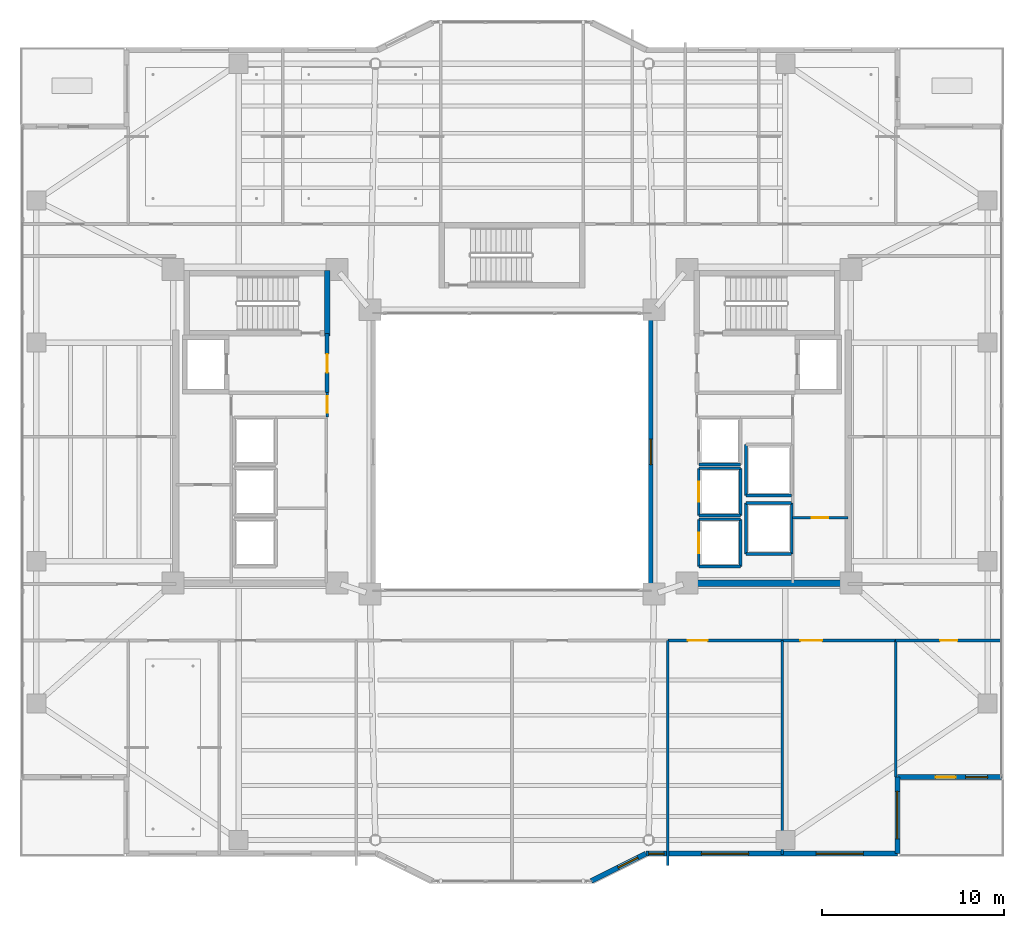
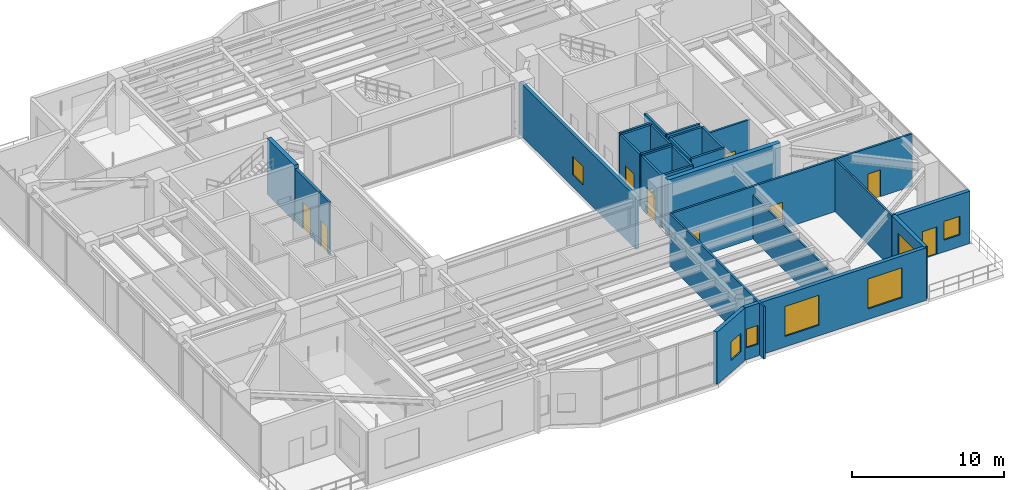
# One storey, part 28 of 38: 30 walls, 9 doors, 7 windows, 16 openings.
"""IFC4 building model written with IfcOpenShell, lengths in metres."""

import ifcopenshell
import ifcopenshell.guid

model = None  # the IFC model being written
_history = None  # IfcOwnerHistory: only IFC2X3 demands one
_inside = {}  # id of a spatial element -> (the spatial element, [elements in it])
_under = {}  # id of a project, library or spatial element -> (it, [spatial elements below it])
_declared = {}  # id of a project -> (the project, [libraries it declares])
_typed = {}  # id of a type object -> (the type object, [elements of that type])
_made_of = {}  # id of a material, layer set ... -> (it, [elements and type objects made of it])


def new_model(schema):
    """Start an empty IFC model of exactly this schema.

    Asked for "IFC4X3", IfcOpenShell would pick the latest addendum, in which some entities
    have other attributes; the version numbers below select the first issue.
    IFC2X3 requires an IfcOwnerHistory on every rooted entity: one is made here for all.
    """
    global model, _history
    if schema == "IFC4X3":
        model = ifcopenshell.file(schema_version=(4, 3, 0, 0))
    else:
        model = ifcopenshell.file(schema=schema)
    _inside.clear()
    _under.clear()
    _declared.clear()
    _typed.clear()
    _made_of.clear()
    _history = None
    if model.schema == "IFC2X3":
        org = make("IfcOrganization", Name="unknown")
        user = make(
            "IfcPersonAndOrganization",
            ThePerson=make("IfcPerson", FamilyName="unknown"),
            TheOrganization=org,
        )
        app = make(
            "IfcApplication",
            ApplicationDeveloper=org,
            Version="unknown",
            ApplicationFullName="unknown",
            ApplicationIdentifier="unknown",
        )
        _history = make(
            "IfcOwnerHistory",
            OwningUser=user,
            OwningApplication=app,
            ChangeAction="ADDED",
            CreationDate=0,
        )
    return model


def make(cls, **values):
    """One entity of the class cls with the attributes given. An attribute that is None is left unset."""
    return model.create_entity(
        cls, **{name: value for name, value in values.items() if value is not None}
    )


def rooted(cls, **values):
    """An entity with a GlobalId (a new one), such as an element, a storey or a relation."""
    return make(cls, GlobalId=ifcopenshell.guid.new(), OwnerHistory=_history, **values)


def si_unit(unit_type, name, prefix=None):
    """IfcSIUnit, for example si_unit("LENGTHUNIT", "METRE", prefix="MILLI")."""
    return make("IfcSIUnit", UnitType=unit_type, Prefix=prefix, Name=name)


def assignment(units):
    """IfcUnitAssignment: the units of a project."""
    return None if units is None else make("IfcUnitAssignment", Units=units)


def point(xyz):
    """IfcCartesianPoint."""
    return None if xyz is None else make("IfcCartesianPoint", Coordinates=xyz)


def direction(xyz):
    """IfcDirection."""
    return None if xyz is None else make("IfcDirection", DirectionRatios=xyz)


def frame(location, z_axis=None, x_axis=None):
    """IfcAxis2Placement3D, a coordinate frame: its origin and axes. An axis left out is left unset."""
    return make(
        "IfcAxis2Placement3D",
        Location=point(location),
        Axis=direction(z_axis),
        RefDirection=direction(x_axis),
    )


def frame_2d(location, x_axis=None):
    """IfcAxis2Placement2D, a coordinate frame in the plane: its origin and x axis."""
    return make(
        "IfcAxis2Placement2D", Location=point(location), RefDirection=direction(x_axis)
    )


def origin():
    """The frame at (0, 0, 0) with its axes left unset."""
    return frame((0.0, 0.0, 0.0))


def place(relative_to, where):
    """IfcLocalPlacement: puts the frame where relative to a parent placement (None: the world)."""
    return make(
        "IfcLocalPlacement", PlacementRelTo=relative_to, RelativePlacement=where
    )


def context(
    kind, dimensions, precision=None, world=None, true_north=None, identifier=None
):
    """IfcGeometricRepresentationContext, for example the 3D "Model" context."""
    return make(
        "IfcGeometricRepresentationContext",
        ContextIdentifier=identifier,
        ContextType=kind,
        CoordinateSpaceDimension=dimensions,
        Precision=precision,
        WorldCoordinateSystem=world,
        TrueNorth=true_north,
    )


def subcontext(parent, identifier, kind, view, scale=None):
    """IfcGeometricRepresentationSubContext, for example "Body" below "Model"."""
    return make(
        "IfcGeometricRepresentationSubContext",
        ContextIdentifier=identifier,
        ContextType=kind,
        ParentContext=parent,
        TargetScale=scale,
        TargetView=view,
    )


def project(units=None, contexts=None):
    """IfcProject with its units and contexts."""
    return rooted(
        "IfcProject",
        Name="project",
        RepresentationContexts=contexts,
        UnitsInContext=assignment(units),
    )


def spatial(cls, under=None, at=None, **own):
    """A site, building, storey or space (cls), placed at a placement, below another one or the project."""
    s = rooted(cls, ObjectPlacement=at, **own)
    if under is not None:
        _under.setdefault(under.id(), (under, []))[1].append(s)
    return s


def profile(cls, at=None, kind="AREA", **sizes):
    """A parametric profile (cls). Its sizes go by their IFC names, for example OverallWidth=200.0."""
    return make(cls, ProfileType=kind, Position=at, **sizes)


def rectangle(**sizes):
    """IfcRectangleProfileDef."""
    return profile("IfcRectangleProfileDef", **sizes)


def extrude(swept, where, along, depth):
    """IfcExtrudedAreaSolid: the profile swept, set in the frame where, extruded along a direction by depth."""
    return make(
        "IfcExtrudedAreaSolid",
        SweptArea=swept,
        Position=where,
        ExtrudedDirection=direction(along),
        Depth=depth,
    )


def shape(context_of_items, identifier, shape_type, items):
    """IfcShapeRepresentation: the items that make up one representation, for example the "Body"."""
    return make(
        "IfcShapeRepresentation",
        ContextOfItems=context_of_items,
        RepresentationIdentifier=identifier,
        RepresentationType=shape_type,
        Items=items,
    )


def material(Name=None, Category=None):
    """IfcMaterial."""
    return make("IfcMaterial", Name=Name, Category=Category)


def layer(
    of_material, thickness, ventilated=None, Name=None, Category=None, Priority=None
):
    """IfcMaterialLayer: one layer of a wall or slab, of a material (None: an air gap)."""
    return make(
        "IfcMaterialLayer",
        Material=of_material,
        LayerThickness=thickness,
        IsVentilated=ventilated,
        Name=Name,
        Category=Category,
        Priority=Priority,
    )


def layer_set(layers, Name=None):
    """IfcMaterialLayerSet."""
    return make("IfcMaterialLayerSet", MaterialLayers=layers, LayerSetName=Name)


def made_of(thing, what):
    """Note that an element or type object is made of a material, layer set ...; save() writes the relation."""
    if what is not None:
        _made_of.setdefault(what.id(), (what, []))[1].append(thing)
    return thing


def type_object(cls, material=None, **own):
    """A type object (cls), such as IfcWallType, which elements share."""
    return made_of(rooted(cls, **own), material)


def element(
    cls,
    number,
    at=None,
    inside=None,
    cuts=None,
    type_object=None,
    material=None,
    context=None,
    identifier="Body",
    shape_type=None,
    held_by="IfcProductDefinitionShape",
    body=None,
    shapes=None,
    **own,
):
    """One element of the class cls, such as IfcWall. Its Tag is "e" and its number.

    at: its placement. inside: the storey or other place that contains it. cuts: it is an
    opening in that element (IfcRelVoidsElement). A single representation is given by context,
    identifier, shape_type and body (its items); several are given by shapes. held_by: the class
    of the entity that holds the representations. save() writes the other relations.
    """
    e = rooted(cls, Tag="e%d" % number, ObjectPlacement=at, **own)
    if body is not None:
        shapes = [shape(context, identifier, shape_type, body)]
    if shapes is not None:
        e.Representation = make(held_by, Representations=shapes)
    if inside is not None:
        _inside.setdefault(inside.id(), (inside, []))[1].append(e)
    if cuts is not None:
        rooted(
            "IfcRelVoidsElement", RelatingBuildingElement=cuts, RelatedOpeningElement=e
        )
    if type_object is not None:
        _typed.setdefault(type_object.id(), (type_object, []))[1].append(e)
    return made_of(e, material)


def fill(opening, filler):
    """IfcRelFillsElement: the door or window that sits in an opening."""
    return rooted(
        "IfcRelFillsElement",
        RelatingOpeningElement=opening,
        RelatedBuildingElement=filler,
    )


def aggregate(whole, parts):
    """IfcRelAggregates: a whole, such as a stair, and the parts it consists of."""
    return rooted("IfcRelAggregates", RelatingObject=whole, RelatedObjects=parts)


def save(model, path):
    """Write the relations noted so far, then the file.

    IfcRelAggregates (storeys below a building ...), IfcRelContainedInSpatialStructure (elements
    in a storey), IfcRelDefinesByType, IfcRelAssociatesMaterial and IfcRelDeclares: one each for
    every whole, place, type object, material and project.
    """
    for whole, parts in _under.values():
        aggregate(whole, parts)
    for where, things in _inside.values():
        rooted(
            "IfcRelContainedInSpatialStructure",
            RelatedElements=things,
            RelatingStructure=where,
        )
    for kind, things in _typed.values():
        rooted("IfcRelDefinesByType", RelatedObjects=things, RelatingType=kind)
    for what, things in _made_of.values():
        rooted("IfcRelAssociatesMaterial", RelatedObjects=things, RelatingMaterial=what)
    for by, libraries in _declared.values():
        rooted("IfcRelDeclares", RelatingContext=by, RelatedDefinitions=libraries)
    model.write(path)


model = new_model("IFC4")

# Units and contexts
model_context = context("Model", 3, precision=1e-05, world=origin(), true_north=direction((0.0, 1.0)))
body_context = subcontext(model_context, "Body", "Model", "MODEL_VIEW")
ifc_project = project(units=[si_unit("LENGTHUNIT", "METRE"), si_unit("AREAUNIT", "SQUARE_METRE"), si_unit("VOLUMEUNIT", "CUBIC_METRE"), si_unit("PLANEANGLEUNIT", "RADIAN"), si_unit("MASSUNIT", "GRAM", prefix="KILO")], contexts=[model_context])

# Site, building, storey
site_placement = place(None, origin())
site = spatial("IfcSite", under=ifc_project, at=site_placement, CompositionType="ELEMENT")
building_placement = place(site_placement, origin())
building = spatial("IfcBuilding", under=site, at=building_placement, Name="Tarnavaz Court Tower", CompositionType="ELEMENT")
storey_placement = place(building_placement, frame((0.0, 0.0, 123.0)))
storey = spatial("IfcBuildingStorey", under=building, at=storey_placement, Name="L33", CompositionType="ELEMENT", Elevation=123.0)

# Walls
ifc_material_1 = material(Name="Concrete C60/75", Category="concrete")
ifc_layer_1 = layer(ifc_material_1, 0.300048828125)
ifc_layer_set_1 = layer_set([ifc_layer_1], Name="Concrete C60/75")
wall_type_1 = type_object("IfcWallType", Name="WL-CORE-300-C60", PredefinedType="SHEAR", material=ifc_layer_set_1)
wall_1_placement = place(storey_placement, frame((-10.14990234375, 6.35009765625, 0.0), z_axis=(0.0, 0.0, 1.0), x_axis=(0.0, 1.0, 0.0)))
element("IfcWall", 1, at=wall_1_placement, inside=storey, type_object=wall_type_1, Name="L33 West Stair Core Wall 004", PredefinedType="SHEAR", context=body_context, shape_type="SweptSolid", body=[
    extrude(rectangle(XDim=3.58984375, YDim=0.300048828125, at=frame_2d((1.794921875, 0.0))), origin(), (0.0, 0.0, 1.0), 4.5),
])
ifc_layer_2 = layer(ifc_material_1, 0.35009765625)
ifc_layer_set_2 = layer_set([ifc_layer_2], Name="Concrete C60/75")
wall_type_2 = type_object("IfcWallType", Name="WL-CORE-350-C60", PredefinedType="SHEAR", material=ifc_layer_set_2)
wall_2_placement = place(storey_placement, frame((10.074951171875, -7.199951171875, 0.0), z_axis=(0.0, 0.0, 1.0), x_axis=(1.0, 0.0, 0.0)))
element("IfcWall", 2, at=wall_2_placement, inside=storey, type_object=wall_type_2, Name="L33 East Core South Shear Wall 060", PredefinedType="SHEAR", context=body_context, shape_type="SweptSolid", body=[
    extrude(rectangle(XDim=8.550048828125, YDim=0.35009765625, at=frame_2d((4.27490234375, 0.0))), origin(), (0.0, 0.0, 1.0), 4.5),
])

# Wall, openings, door, window
ifc_material_2 = material(Name="Precast Concrete C40/50", Category="concrete")
ifc_layer_3 = layer(ifc_material_2, 0.280029296875)
ifc_layer_set_3 = layer_set([ifc_layer_3], Name="Precast Concrete C40/50")
wall_type_3 = type_object("IfcWallType", Name="WL-EXT-280", PredefinedType="SOLIDWALL", material=ifc_layer_set_3)
wall_3_placement = place(storey_placement, frame((26.85009765625, -17.85009765625, 0.0), z_axis=(0.0, 0.0, 1.0), x_axis=(-1.0, 0.0, 0.0)))
wall_3 = element("IfcWall", 3, at=wall_3_placement, inside=storey, type_object=wall_type_3, Name="L33 Exterior Terracotta Facade Wall 13", PredefinedType="SOLIDWALL", context=body_context, shape_type="SweptSolid", body=[
    extrude(rectangle(XDim=5.7001953125, YDim=0.280029296875, at=frame_2d((2.85009765625, 0.0))), origin(), (0.0, 0.0, 1.0), 4.199951171875),
])
opening_1_placement = place(wall_3_placement, frame((2.5, 0.0, 0.0)))
opening_1 = element("IfcOpeningElement", 4, at=opening_1_placement, cuts=wall_3, Name="Opening TD1", PredefinedType="OPENING", context=body_context, shape_type="SweptSolid", body=[
    extrude(rectangle(XDim=1.10009765625, YDim=2.199951171875, at=frame_2d((0.550048828125, 1.10009765625))), frame((0.0, 0.14990234375, 0.0), z_axis=(0.0, -1.0, 0.0), x_axis=(1.0, 0.0, 0.0)), (0.0, 0.0, 1.0), 0.300048828125),
])
opening_2_placement = place(wall_3_placement, frame((0.7548828125, 0.0, 0.949951171875)))
opening_2 = element("IfcOpeningElement", 5, at=opening_2_placement, cuts=wall_3, Name="Opening W05", PredefinedType="OPENING", context=body_context, shape_type="SweptSolid", body=[
    extrude(rectangle(XDim=1.199951171875, YDim=1.5, at=frame_2d((0.60009765625, 0.75))), frame((0.0, 0.14990234375, 0.0), z_axis=(0.0, -1.0, 0.0), x_axis=(1.0, 0.0, 0.0)), (0.0, 0.0, 1.0), 0.300048828125),
])
ifc_material_3 = material(Name="Thermally Broken Aluminium and Laminated Glass", Category="aluminium")
door_type_1 = type_object("IfcDoorType", Name="DR-TERR-1100", OperationType="NOTDEFINED", PredefinedType="DOOR", material=ifc_material_3)
door_1_placement = place(opening_1_placement, origin())
door_1 = element("IfcDoor", 6, at=door_1_placement, inside=storey, type_object=door_type_1, Name="L33 Sky Terrace Access Door 3", OperationType="SINGLE_SWING_LEFT", OverallHeight=2.199951171875, OverallWidth=1.10009765625, PredefinedType="DOOR", context=body_context, shape_type="SweptSolid", body=[
    extrude(rectangle(XDim=1.10009765625, YDim=2.199951171875, at=frame_2d((0.550048828125, 1.10009765625))), frame((0.0, 0.02490234375, 0.0), z_axis=(0.0, -1.0, 0.0), x_axis=(1.0, 0.0, 0.0)), (0.0, 0.0, 1.0), 0.050048828125),
])
fill(opening_1, door_1)
ifc_material_4 = material(Name="Double-Glazed Solar Low-E Glass", Category="glass")
window_type_1 = type_object("IfcWindowType", Name="WN-APT-1200", PartitioningType="SINGLE_PANEL", PredefinedType="WINDOW", material=ifc_material_4)
window_1_placement = place(opening_2_placement, origin())
window_1 = element("IfcWindow", 7, at=window_1_placement, inside=storey, type_object=window_type_1, Name="L33 L33 SE Terrace Salon Window", OverallHeight=1.5, OverallWidth=1.199951171875, PartitioningType="SINGLE_PANEL", PredefinedType="WINDOW", context=body_context, shape_type="SweptSolid", body=[
    extrude(rectangle(XDim=1.199951171875, YDim=1.5, at=frame_2d((0.60009765625, 0.75))), frame((0.0, 0.030029296875, 0.0), z_axis=(0.0, -1.0, 0.0), x_axis=(1.0, 0.0, 0.0)), (0.0, 0.0, 1.0), 0.06005859375),
])
fill(opening_2, window_1)

# Wall, opening, window
wall_4_placement = place(storey_placement, frame((21.14990234375, -17.85009765625, 0.0), z_axis=(0.0, 0.0, 1.0), x_axis=(0.0, -1.0, 0.0)))
wall_4 = element("IfcWall", 8, at=wall_4_placement, inside=storey, type_object=wall_type_3, Name="L33 Exterior Terracotta Facade Wall 14", PredefinedType="SOLIDWALL", context=body_context, shape_type="SweptSolid", body=[
    extrude(rectangle(XDim=4.199951171875, YDim=0.280029296875, at=frame_2d((2.10009765625, 0.0))), origin(), (0.0, 0.0, 1.0), 4.199951171875),
])
opening_3_placement = place(wall_4_placement, frame((0.7822265625, 0.0, 0.85009765625)))
opening_3 = element("IfcOpeningElement", 9, at=opening_3_placement, cuts=wall_4, Name="Opening W11", PredefinedType="OPENING", context=body_context, shape_type="SweptSolid", body=[
    extrude(rectangle(XDim=2.60009765625, YDim=2.39990234375, at=frame_2d((1.300048828125, 1.199951171875))), frame((0.0, 0.14990234375, 0.0), z_axis=(0.0, -1.0, 0.0), x_axis=(1.0, 0.0, 0.0)), (0.0, 0.0, 1.0), 0.300048828125),
])
window_type_2 = type_object("IfcWindowType", Name="WN-COM-2600", PartitioningType="TRIPLE_PANEL_VERTICAL", PredefinedType="WINDOW", material=ifc_material_4)
window_2_placement = place(opening_3_placement, origin())
window_2 = element("IfcWindow", 10, at=window_2_placement, inside=storey, type_object=window_type_2, Name="L33 L33 Communal Dining Hall Window", OverallHeight=2.39990234375, OverallWidth=2.60009765625, PartitioningType="SINGLE_PANEL", PredefinedType="WINDOW", context=body_context, shape_type="SweptSolid", body=[
    extrude(rectangle(XDim=2.60009765625, YDim=2.39990234375, at=frame_2d((1.300048828125, 1.199951171875))), frame((0.0, 0.030029296875, 0.0), z_axis=(0.0, -1.0, 0.0), x_axis=(1.0, 0.0, 0.0)), (0.0, 0.0, 1.0), 0.06005859375),
])
fill(opening_3, window_2)

# Wall, openings, windows
wall_5_placement = place(storey_placement, frame((21.14990234375, -22.050048828125, 0.0), z_axis=(0.0, 0.0, 1.0), x_axis=(-1.0, 0.0, 0.0)))
wall_5 = element("IfcWall", 11, at=wall_5_placement, inside=storey, type_object=wall_type_3, Name="L33 Exterior Terracotta Facade Wall 15", PredefinedType="SOLIDWALL", context=body_context, shape_type="SweptSolid", body=[
    extrude(rectangle(XDim=13.7998046875, YDim=0.280029296875, at=frame_2d((6.89990234375, 0.0))), origin(), (0.0, 0.0, 1.0), 4.199951171875),
])
opening_4_placement = place(wall_5_placement, frame((1.861572265625, 0.0, 0.85009765625)))
opening_4 = element("IfcOpeningElement", 12, at=opening_4_placement, cuts=wall_5, Name="Opening W11", PredefinedType="OPENING", context=body_context, shape_type="SweptSolid", body=[
    extrude(rectangle(XDim=2.60009765625, YDim=2.39990234375, at=frame_2d((1.300048828125, 1.199951171875))), frame((0.0, 0.14990234375, 0.0), z_axis=(0.0, -1.0, 0.0), x_axis=(1.0, 0.0, 0.0)), (0.0, 0.0, 1.0), 0.300048828125),
])
opening_5_placement = place(wall_5_placement, frame((8.1591796875, 0.0, 0.85009765625)))
opening_5 = element("IfcOpeningElement", 13, at=opening_5_placement, cuts=wall_5, Name="Opening W11", PredefinedType="OPENING", context=body_context, shape_type="SweptSolid", body=[
    extrude(rectangle(XDim=2.60009765625, YDim=2.39990234375, at=frame_2d((1.300048828125, 1.199951171875))), frame((0.0, 0.14990234375, 0.0), z_axis=(0.0, -1.0, 0.0), x_axis=(1.0, 0.0, 0.0)), (0.0, 0.0, 1.0), 0.300048828125),
])
opening_6_placement = place(wall_5_placement, frame((12.802978515625, 0.0, 0.949951171875)))
opening_6 = element("IfcOpeningElement", 14, at=opening_6_placement, cuts=wall_5, Name="Opening W15", PredefinedType="OPENING", context=body_context, shape_type="SweptSolid", body=[
    extrude(rectangle(XDim=0.85009765625, YDim=1.5, at=frame_2d((0.425048828125, 0.75))), frame((0.0, 0.14990234375, 0.0), z_axis=(0.0, -1.0, 0.0), x_axis=(1.0, 0.0, 0.0)), (0.0, 0.0, 1.0), 0.300048828125),
])
window_type_3 = type_object("IfcWindowType", Name="WN-APT-850", PartitioningType="SINGLE_PANEL", PredefinedType="WINDOW", material=ifc_material_4)
window_3_placement = place(opening_6_placement, origin())
window_3 = element("IfcWindow", 15, at=window_3_placement, inside=storey, type_object=window_type_3, Name="L33 L33 South-East Music and Arts Studio Window", OverallHeight=1.5, OverallWidth=0.85009765625, PartitioningType="SINGLE_PANEL", PredefinedType="WINDOW", context=body_context, shape_type="SweptSolid", body=[
    extrude(rectangle(XDim=0.85009765625, YDim=1.5, at=frame_2d((0.425048828125, 0.75))), frame((0.0, 0.030029296875, 0.0), z_axis=(0.0, -1.0, 0.0), x_axis=(1.0, 0.0, 0.0)), (0.0, 0.0, 1.0), 0.06005859375),
])
fill(opening_6, window_3)
window_4_placement = place(opening_4_placement, origin())
window_4 = element("IfcWindow", 16, at=window_4_placement, inside=storey, type_object=window_type_2, Name="L33 L33 Communal Dining Hall Window", OverallHeight=2.39990234375, OverallWidth=2.60009765625, PartitioningType="SINGLE_PANEL", PredefinedType="WINDOW", context=body_context, shape_type="SweptSolid", body=[
    extrude(rectangle(XDim=2.60009765625, YDim=2.39990234375, at=frame_2d((1.300048828125, 1.199951171875))), frame((0.0, 0.030029296875, 0.0), z_axis=(0.0, -1.0, 0.0), x_axis=(1.0, 0.0, 0.0)), (0.0, 0.0, 1.0), 0.06005859375),
])
fill(opening_4, window_4)
window_5_placement = place(opening_5_placement, origin())
window_5 = element("IfcWindow", 17, at=window_5_placement, inside=storey, type_object=window_type_2, Name="L33 L33 Residents Counseling Office Window", OverallHeight=2.39990234375, OverallWidth=2.60009765625, PartitioningType="SINGLE_PANEL", PredefinedType="WINDOW", context=body_context, shape_type="SweptSolid", body=[
    extrude(rectangle(XDim=2.60009765625, YDim=2.39990234375, at=frame_2d((1.300048828125, 1.199951171875))), frame((0.0, 0.030029296875, 0.0), z_axis=(0.0, -1.0, 0.0), x_axis=(1.0, 0.0, 0.0)), (0.0, 0.0, 1.0), 0.06005859375),
])
fill(opening_5, window_5)

# Wall, opening, window
wall_6_placement = place(storey_placement, frame((7.35009765625, -22.050048828125, 0.0), z_axis=(0.0, 0.0, 1.0), x_axis=(-0.894427191, -0.4472135955, 0.0)))
wall_6 = element("IfcWall", 18, at=wall_6_placement, inside=storey, type_object=wall_type_3, Name="L33 Exterior Terracotta Facade Wall 16", PredefinedType="SOLIDWALL", context=body_context, shape_type="SweptSolid", body=[
    extrude(rectangle(XDim=3.35400390625, YDim=0.280029296875, at=frame_2d((1.677001953125, 0.0))), origin(), (0.0, 0.0, 1.0), 4.199951171875),
])
opening_7_placement = place(wall_6_placement, frame((0.501220703125, 0.0, 0.949951171875)))
opening_7 = element("IfcOpeningElement", 19, at=opening_7_placement, cuts=wall_6, Name="Opening W05", PredefinedType="OPENING", context=body_context, shape_type="SweptSolid", body=[
    extrude(rectangle(XDim=1.199951171875, YDim=1.5, at=frame_2d((0.60009765625, 0.75))), frame((0.0, 0.14990234375, 0.0), z_axis=(0.0, -1.0, 0.0), x_axis=(1.0, 0.0, 0.0)), (0.0, 0.0, 1.0), 0.300048828125),
])
window_6_placement = place(opening_7_placement, origin())
window_6 = element("IfcWindow", 20, at=window_6_placement, inside=storey, type_object=window_type_1, Name="L33 L33 South-East Music and Arts Studio Window", OverallHeight=1.5, OverallWidth=1.199951171875, PartitioningType="SINGLE_PANEL", PredefinedType="WINDOW", context=body_context, shape_type="SweptSolid", body=[
    extrude(rectangle(XDim=1.199951171875, YDim=1.5, at=frame_2d((0.60009765625, 0.75))), frame((0.0, 0.030029296875, 0.0), z_axis=(0.0, -1.0, 0.0), x_axis=(1.0, 0.0, 0.0)), (0.0, 0.0, 1.0), 0.06005859375),
])
fill(opening_7, window_6)

# Wall, openings, doors
ifc_material_5 = material(Name="Gypsum Fire-Board on Acoustic Metal Stud", Category="masonry")
ifc_layer_4 = layer(ifc_material_5, 0.14990234375)
ifc_layer_set_4 = layer_set([ifc_layer_4], Name="Gypsum Fire-Board on Acoustic Metal Stud")
wall_type_4 = type_object("IfcWallType", Name="WL-FIRE-150", PredefinedType="PARTITIONING", material=ifc_layer_set_4)
wall_7_placement = place(storey_placement, frame((8.550048828125, -10.35009765625, 0.0), z_axis=(0.0, 0.0, 1.0), x_axis=(1.0, 0.0, 0.0)))
wall_7 = element("IfcWall", 21, at=wall_7_placement, inside=storey, type_object=wall_type_4, Name="L33 SE Horseshoe Wall 074", PredefinedType="PARTITIONING", context=body_context, shape_type="SweptSolid", body=[
    extrude(rectangle(XDim=12.5, YDim=0.14990234375, at=frame_2d((6.25, 0.0))), origin(), (0.0, 0.0, 1.0), 4.199951171875),
])
opening_8_placement = place(wall_7_placement, frame((1.10009765625, 0.0, 0.0)))
opening_8 = element("IfcOpeningElement", 22, at=opening_8_placement, cuts=wall_7, Name="Opening D12", PredefinedType="OPENING", context=body_context, shape_type="SweptSolid", body=[
    extrude(rectangle(XDim=1.080078125, YDim=2.14990234375, at=frame_2d((0.5400390625, 1.074951171875))), frame((0.0, 0.0849609375, 0.0), z_axis=(0.0, -1.0, 0.0), x_axis=(1.0, 0.0, 0.0)), (0.0, 0.0, 1.0), 0.169921875),
])
opening_9_placement = place(wall_7_placement, frame((7.27490234375, 0.0, 0.0)))
opening_9 = element("IfcOpeningElement", 23, at=opening_9_placement, cuts=wall_7, Name="Opening D11", PredefinedType="OPENING", context=body_context, shape_type="SweptSolid", body=[
    extrude(rectangle(XDim=1.199951171875, YDim=2.14990234375, at=frame_2d((0.60009765625, 1.074951171875))), frame((0.0, 0.0849609375, 0.0), z_axis=(0.0, -1.0, 0.0), x_axis=(1.0, 0.0, 0.0)), (0.0, 0.0, 1.0), 0.169921875),
])
ifc_material_6 = material(Name="Engineered Oak Timber", Category="wood")
door_type_2 = type_object("IfcDoorType", Name="DR-INT-1100", OperationType="NOTDEFINED", PredefinedType="DOOR", material=ifc_material_6)
door_2_placement = place(opening_8_placement, origin())
door_2 = element("IfcDoor", 24, at=door_2_placement, inside=storey, type_object=door_type_2, Name="L33 Counseling Office Door", OperationType="SINGLE_SWING_LEFT", OverallHeight=2.14990234375, OverallWidth=1.080078125, PredefinedType="DOOR", context=body_context, shape_type="SweptSolid", body=[
    extrude(rectangle(XDim=1.080078125, YDim=2.14990234375, at=frame_2d((0.5400390625, 1.074951171875))), frame((0.0, 0.02490234375, 0.0), z_axis=(0.0, -1.0, 0.0), x_axis=(1.0, 0.0, 0.0)), (0.0, 0.0, 1.0), 0.050048828125),
])
fill(opening_8, door_2)
door_type_3 = type_object("IfcDoorType", Name="DR-INT-1200", OperationType="NOTDEFINED", PredefinedType="DOOR", material=ifc_material_6)
door_3_placement = place(opening_9_placement, origin())
door_3 = element("IfcDoor", 25, at=door_3_placement, inside=storey, type_object=door_type_3, Name="L33 L33 Communal Dining Hall Door", OperationType="SINGLE_SWING_RIGHT", OverallHeight=2.14990234375, OverallWidth=1.199951171875, PredefinedType="DOOR", context=body_context, shape_type="SweptSolid", body=[
    extrude(rectangle(XDim=1.199951171875, YDim=2.14990234375, at=frame_2d((0.60009765625, 1.074951171875))), frame((0.0, 0.02490234375, 0.0), z_axis=(0.0, -1.0, 0.0), x_axis=(1.0, 0.0, 0.0)), (0.0, 0.0, 1.0), 0.050048828125),
])
fill(opening_9, door_3)

# Wall, opening, door
wall_8_placement = place(storey_placement, frame((21.050048828125, -10.35009765625, 0.0), z_axis=(0.0, 0.0, 1.0), x_axis=(1.0, 0.0, 0.0)))
wall_8 = element("IfcWall", 26, at=wall_8_placement, inside=storey, type_object=wall_type_4, Name="L33 Interior Partition 098", PredefinedType="PARTITIONING", context=body_context, shape_type="SweptSolid", body=[
    extrude(rectangle(XDim=5.829833984375, YDim=0.14990234375, at=frame_2d((2.9150390625, 0.0))), origin(), (0.0, 0.0, 1.0), 4.199951171875),
])
opening_10_placement = place(wall_8_placement, frame((2.43994140625, 0.0, 0.0)))
opening_10 = element("IfcOpeningElement", 27, at=opening_10_placement, cuts=wall_8, Name="Opening D13", PredefinedType="OPENING", context=body_context, shape_type="SweptSolid", body=[
    extrude(rectangle(XDim=0.949951171875, YDim=2.14990234375, at=frame_2d((0.47509765625, 1.074951171875))), frame((0.0, 0.0849609375, 0.0), z_axis=(0.0, -1.0, 0.0), x_axis=(1.0, 0.0, 0.0)), (0.0, 0.0, 1.0), 0.169921875),
])
door_type_4 = type_object("IfcDoorType", Name="DR-INT-950", OperationType="NOTDEFINED", PredefinedType="DOOR", material=ifc_material_6)
door_4_placement = place(opening_10_placement, origin())
door_4 = element("IfcDoor", 28, at=door_4_placement, inside=storey, type_object=door_type_4, Name="L33 SE Terrace Salon Door", OperationType="SINGLE_SWING_RIGHT", OverallHeight=2.14990234375, OverallWidth=0.949951171875, PredefinedType="DOOR", context=body_context, shape_type="SweptSolid", body=[
    extrude(rectangle(XDim=0.949951171875, YDim=2.14990234375, at=frame_2d((0.47509765625, 1.074951171875))), frame((0.0, 0.02490234375, 0.0), z_axis=(0.0, -1.0, 0.0), x_axis=(1.0, 0.0, 0.0)), (0.0, 0.0, 1.0), 0.050048828125),
])
fill(opening_10, door_4)

ifc_material_7 = material(Name="Autoclaved Aerated Concrete Blockwork", Category="masonry")
ifc_layer_5 = layer(ifc_material_7, 0.199951171875)
ifc_layer_set_5 = layer_set([ifc_layer_5], Name="Autoclaved Aerated Concrete Blockwork")
wall_type_5 = type_object("IfcWallType", Name="WL-FIRE-200", PredefinedType="SOLIDWALL", material=ifc_layer_set_5)
wall_9_placement = place(storey_placement, frame((-10.14990234375, 3.25, 0.0), z_axis=(0.0, 0.0, 1.0), x_axis=(0.0, 1.0, 0.0)))
wall_9 = element("IfcWall", 29, at=wall_9_placement, inside=storey, type_object=wall_type_5, Name="L33 West Firefighting Lobby Wall 014", PredefinedType="SOLIDWALL", context=body_context, shape_type="SweptSolid", body=[
    extrude(rectangle(XDim=3.25, YDim=0.199951171875, at=frame_2d((1.625, 0.0))), origin(), (0.0, 0.0, 1.0), 4.199951171875),
])
opening_11_placement = place(wall_9_placement, frame((1.10009765625, 0.0, 0.0)))
opening_11 = element("IfcOpeningElement", 30, at=opening_11_placement, cuts=wall_9, Name="Opening D05", PredefinedType="OPENING", context=body_context, shape_type="SweptSolid", body=[
    extrude(rectangle(XDim=1.02001953125, YDim=2.14990234375, at=frame_2d((0.510009765625, 1.074951171875))), frame((0.0, 0.10986328125, 0.0), z_axis=(0.0, -1.0, 0.0), x_axis=(1.0, 0.0, 0.0)), (0.0, 0.0, 1.0), 0.219970703125),
])
ifc_material_8 = material(Name="Fire-Rated Hardwood Timber Core", Category="wood")
door_type_5 = type_object("IfcDoorType", Name="DR-FD60-1000", OperationType="NOTDEFINED", PredefinedType="DOOR", material=ifc_material_8)
door_5_placement = place(opening_11_placement, origin())
door_5 = element("IfcDoor", 31, at=door_5_placement, inside=storey, type_object=door_type_5, Name="L33 West Firefighting Lobby Door", OperationType="SINGLE_SWING_RIGHT", OverallHeight=2.14990234375, OverallWidth=1.02001953125, PredefinedType="DOOR", context=body_context, shape_type="SweptSolid", body=[
    extrude(rectangle(XDim=1.02001953125, YDim=2.14990234375, at=frame_2d((0.510009765625, 1.074951171875))), frame((0.0, 0.02490234375, 0.0), z_axis=(0.0, -1.0, 0.0), x_axis=(1.0, 0.0, 0.0)), (0.0, 0.0, 1.0), 0.050048828125),
])
fill(opening_11, door_5)

ifc_material_9 = material(Name="Gypsum Plasterboard Acoustic Partition", Category="masonry")
ifc_layer_6 = layer(ifc_material_9, 0.139892578125)
ifc_layer_set_6 = layer_set([ifc_layer_6], Name="Gypsum Plasterboard Acoustic Partition")
wall_type_6 = type_object("IfcWallType", Name="WL-PART-150", PredefinedType="PARTITIONING", material=ifc_layer_set_6)
wall_10_placement = place(storey_placement, frame((-10.14990234375, 1.919921875, 0.0), z_axis=(0.0, 0.0, 1.0), x_axis=(0.0, 1.0, 0.0)))
wall_10 = element("IfcWall", 32, at=wall_10_placement, inside=storey, type_object=wall_type_6, Name="L33 Interior Partition 062", PredefinedType="PARTITIONING", context=body_context, shape_type="SweptSolid", body=[
    extrude(rectangle(XDim=1.330078125, YDim=0.139892578125, at=frame_2d((0.6650390625, 0.0))), origin(), (0.0, 0.0, 1.0), 4.199951171875),
])
opening_12_placement = place(wall_10_placement, frame((0.219970703125, 0.0, 0.0)))
opening_12 = element("IfcOpeningElement", 33, at=opening_12_placement, cuts=wall_10, Name="Opening D09", PredefinedType="OPENING", context=body_context, shape_type="SweptSolid", body=[
    extrude(rectangle(XDim=0.89990234375, YDim=2.080078125, at=frame_2d((0.449951171875, 1.0400390625))), frame((0.0, 0.079833984375, 0.0), z_axis=(0.0, -1.0, 0.0), x_axis=(1.0, 0.0, 0.0)), (0.0, 0.0, 1.0), 0.159912109375),
])
door_type_6 = type_object("IfcDoorType", Name="DR-FD30-900", OperationType="NOTDEFINED", PredefinedType="DOOR", material=ifc_material_8)
door_6_placement = place(opening_12_placement, origin())
door_6 = element("IfcDoor", 34, at=door_6_placement, inside=storey, type_object=door_type_6, Name="L33 West Core Service Lobby Door", OperationType="SINGLE_SWING_LEFT", OverallHeight=2.080078125, OverallWidth=0.89990234375, PredefinedType="DOOR", context=body_context, shape_type="SweptSolid", body=[
    extrude(rectangle(XDim=0.89990234375, YDim=2.080078125, at=frame_2d((0.449951171875, 1.0400390625))), frame((0.0, 0.02490234375, 0.0), z_axis=(0.0, -1.0, 0.0), x_axis=(1.0, 0.0, 0.0)), (0.0, 0.0, 1.0), 0.050048828125),
])
fill(opening_12, door_6)

wall_11_placement = place(storey_placement, frame((15.39990234375, -3.6201171875, 0.0), z_axis=(0.0, 0.0, 1.0), x_axis=(1.0, 0.0, 0.0)))
wall_11 = element("IfcWall", 35, at=wall_11_placement, inside=storey, type_object=wall_type_6, Name="L33 Interior Partition 070", PredefinedType="PARTITIONING", context=body_context, shape_type="SweptSolid", body=[
    extrude(rectangle(XDim=3.050048828125, YDim=0.139892578125, at=frame_2d((1.52490234375, 0.0))), origin(), (0.0, 0.0, 1.0), 4.199951171875),
])
opening_13_placement = place(wall_11_placement, frame((1.050048828125, 0.0, 0.0)))
opening_13 = element("IfcOpeningElement", 36, at=opening_13_placement, cuts=wall_11, Name="Opening D09", PredefinedType="OPENING", context=body_context, shape_type="SweptSolid", body=[
    extrude(rectangle(XDim=0.89990234375, YDim=2.080078125, at=frame_2d((0.449951171875, 1.0400390625))), frame((0.0, 0.079833984375, 0.0), z_axis=(0.0, -1.0, 0.0), x_axis=(1.0, 0.0, 0.0)), (0.0, 0.0, 1.0), 0.159912109375),
])
door_7_placement = place(opening_13_placement, origin())
door_7 = element("IfcDoor", 37, at=door_7_placement, inside=storey, type_object=door_type_6, Name="L33 East Electrical Plant Door", OperationType="SINGLE_SWING_RIGHT", OverallHeight=2.080078125, OverallWidth=0.89990234375, PredefinedType="DOOR", context=body_context, shape_type="SweptSolid", body=[
    extrude(rectangle(XDim=0.89990234375, YDim=2.080078125, at=frame_2d((0.449951171875, 1.0400390625))), frame((0.0, 0.02490234375, 0.0), z_axis=(0.0, -1.0, 0.0), x_axis=(1.0, 0.0, 0.0)), (0.0, 0.0, 1.0), 0.050048828125),
])
fill(opening_13, door_7)

# Walls
wall_12_placement = place(storey_placement, frame((8.550048828125, -22.7041015625, 0.0), z_axis=(0.0, 0.0, 1.0), x_axis=(0.0, 1.0, 0.0)))
element("IfcWall", 38, at=wall_12_placement, inside=storey, type_object=wall_type_6, Name="L33 Interior Partition 083", PredefinedType="PARTITIONING", context=body_context, shape_type="SweptSolid", body=[
    extrude(rectangle(XDim=12.35400390625, YDim=0.139892578125, at=frame_2d((6.177001953125, 0.0))), origin(), (0.0, 0.0, 1.0), 4.199951171875),
])
wall_13_placement = place(storey_placement, frame((14.824951171875, -22.10009765625, 0.0), z_axis=(0.0, 0.0, 1.0), x_axis=(0.0, 1.0, 0.0)))
element("IfcWall", 39, at=wall_13_placement, inside=storey, type_object=wall_type_6, Name="L33 Interior Partition 084", PredefinedType="PARTITIONING", context=body_context, shape_type="SweptSolid", body=[
    extrude(rectangle(XDim=11.75, YDim=0.139892578125, at=frame_2d((5.875, 0.0))), origin(), (0.0, 0.0, 1.0), 3.534912109375),
])
wall_14_placement = place(storey_placement, frame((21.050048828125, -17.85009765625, 0.0), z_axis=(0.0, 0.0, 1.0), x_axis=(0.0, 1.0, 0.0)))
element("IfcWall", 40, at=wall_14_placement, inside=storey, type_object=wall_type_6, Name="L33 Interior Partition 092", PredefinedType="PARTITIONING", context=body_context, shape_type="SweptSolid", body=[
    extrude(rectangle(XDim=7.5, YDim=0.139892578125, at=frame_2d((3.75, 0.0))), origin(), (0.0, 0.0, 1.0), 4.199951171875),
])

# Wall, opening, door
ifc_layer_7 = layer(ifc_material_7, 0.159912109375)
ifc_layer_set_7 = layer_set([ifc_layer_7], Name="Autoclaved Aerated Concrete Blockwork")
wall_type_7 = type_object("IfcWallType", Name="WL-SHAFT-150", PredefinedType="SOLIDWALL", material=ifc_layer_set_7)
wall_15_placement = place(storey_placement, frame((10.25, -6.300048828125, 0.0), z_axis=(0.0, 0.0, 1.0), x_axis=(0.0, 1.0, 0.0)))
wall_15 = element("IfcWall", 41, at=wall_15_placement, inside=storey, type_object=wall_type_7, Name="L33 Lift PL-M1 Shaft Wall 037", PredefinedType="SOLIDWALL", context=body_context, shape_type="SweptSolid", body=[
    extrude(rectangle(XDim=2.60009765625, YDim=0.159912109375, at=frame_2d((1.300048828125, 0.0))), origin(), (0.0, 0.0, 1.0), 4.199951171875),
])
opening_14_placement = place(wall_15_placement, frame((0.75, 0.0, 0.0)))
opening_14 = element("IfcOpeningElement", 42, at=opening_14_placement, cuts=wall_15, Name="Opening LD1", PredefinedType="OPENING", context=body_context, shape_type="SweptSolid", body=[
    extrude(rectangle(XDim=1.10009765625, YDim=2.14990234375, at=frame_2d((0.550048828125, 1.074951171875))), frame((0.0, 0.08984375, 0.0), z_axis=(0.0, -1.0, 0.0), x_axis=(1.0, 0.0, 0.0)), (0.0, 0.0, 1.0), 0.179931640625),
])
ifc_material_10 = material(Name="Stainless Steel", Category="steel")
door_type_7 = type_object("IfcDoorType", Name="DR-LD-1100", OperationType="NOTDEFINED", PredefinedType="DOOR", material=ifc_material_10)
door_8_placement = place(opening_14_placement, origin())
door_8 = element("IfcDoor", 43, at=door_8_placement, inside=storey, type_object=door_type_7, Name="L33 Lift Landing Door LD-PL-M1", OperationType="SLIDING_TO_LEFT", OverallHeight=2.14990234375, OverallWidth=1.10009765625, PredefinedType="DOOR", context=body_context, shape_type="SweptSolid", body=[
    extrude(rectangle(XDim=1.10009765625, YDim=2.14990234375, at=frame_2d((0.550048828125, 1.074951171875))), frame((0.0, 0.02490234375, 0.0), z_axis=(0.0, -1.0, 0.0), x_axis=(1.0, 0.0, 0.0)), (0.0, 0.0, 1.0), 0.050048828125),
])
fill(opening_14, door_8)

# Walls
wall_16_placement = place(storey_placement, frame((12.550048828125, -6.300048828125, 0.0), z_axis=(0.0, 0.0, 1.0), x_axis=(0.0, 1.0, 0.0)))
element("IfcWall", 44, at=wall_16_placement, inside=storey, type_object=wall_type_7, Name="L33 Lift PL-M1 Shaft Wall 038", PredefinedType="SOLIDWALL", context=body_context, shape_type="SweptSolid", body=[
    extrude(rectangle(XDim=2.60009765625, YDim=0.159912109375, at=frame_2d((1.300048828125, 0.0))), origin(), (0.0, 0.0, 1.0), 4.199951171875),
])
for number, where, z_axis, x_axis, name in (
    (45, (10.25, -6.300048828125, 0.0), (0.0, 0.0, 1.0), (1.0, 0.0, 0.0), "L33 Lift PL-M1 Shaft Wall 039"),
    (46, (10.25, -3.699951171875, 0.0), (0.0, 0.0, 1.0), (1.0, 0.0, 0.0), "L33 Lift PL-M1 Shaft Wall 040"),
):
    element("IfcWall", number, at=place(storey_placement, frame(where, z_axis=z_axis, x_axis=x_axis)), inside=storey, type_object=wall_type_7, Name=name, PredefinedType="SOLIDWALL", context=body_context, shape_type="SweptSolid", body=[
        extrude(rectangle(XDim=2.300048828125, YDim=0.159912109375, at=frame_2d((1.14990234375, 0.0))), origin(), (0.0, 0.0, 1.0), 4.199951171875),
    ])

# Wall, opening, door
wall_17_placement = place(storey_placement, frame((10.25, -3.5, 0.0), z_axis=(0.0, 0.0, 1.0), x_axis=(0.0, 1.0, 0.0)))
wall_17 = element("IfcWall", 47, at=wall_17_placement, inside=storey, type_object=wall_type_7, Name="L33 Lift PL-M2 Shaft Wall 041", PredefinedType="SOLIDWALL", context=body_context, shape_type="SweptSolid", body=[
    extrude(rectangle(XDim=2.60009765625, YDim=0.159912109375, at=frame_2d((1.300048828125, 0.0))), origin(), (0.0, 0.0, 1.0), 4.199951171875),
])
opening_15_placement = place(wall_17_placement, frame((0.75, 0.0, 0.0)))
opening_15 = element("IfcOpeningElement", 48, at=opening_15_placement, cuts=wall_17, Name="Opening LD1", PredefinedType="OPENING", context=body_context, shape_type="SweptSolid", body=[
    extrude(rectangle(XDim=1.10009765625, YDim=2.14990234375, at=frame_2d((0.550048828125, 1.074951171875))), frame((0.0, 0.08984375, 0.0), z_axis=(0.0, -1.0, 0.0), x_axis=(1.0, 0.0, 0.0)), (0.0, 0.0, 1.0), 0.179931640625),
])
door_9_placement = place(opening_15_placement, origin())
door_9 = element("IfcDoor", 49, at=door_9_placement, inside=storey, type_object=door_type_7, Name="L33 Lift Landing Door LD-PL-M2", OperationType="SLIDING_TO_LEFT", OverallHeight=2.14990234375, OverallWidth=1.10009765625, PredefinedType="DOOR", context=body_context, shape_type="SweptSolid", body=[
    extrude(rectangle(XDim=1.10009765625, YDim=2.14990234375, at=frame_2d((0.550048828125, 1.074951171875))), frame((0.0, 0.02490234375, 0.0), z_axis=(0.0, -1.0, 0.0), x_axis=(1.0, 0.0, 0.0)), (0.0, 0.0, 1.0), 0.050048828125),
])
fill(opening_15, door_9)

# Walls
wall_18_placement = place(storey_placement, frame((12.550048828125, -3.5, 0.0), z_axis=(0.0, 0.0, 1.0), x_axis=(0.0, 1.0, 0.0)))
element("IfcWall", 50, at=wall_18_placement, inside=storey, type_object=wall_type_7, Name="L33 Lift PL-M2 Shaft Wall 042", PredefinedType="SOLIDWALL", context=body_context, shape_type="SweptSolid", body=[
    extrude(rectangle(XDim=2.60009765625, YDim=0.159912109375, at=frame_2d((1.300048828125, 0.0))), origin(), (0.0, 0.0, 1.0), 4.199951171875),
])
for number, where, z_axis, x_axis, name in (
    (51, (10.25, -3.5, 0.0), (0.0, 0.0, 1.0), (1.0, 0.0, 0.0), "L33 Lift PL-M2 Shaft Wall 043"),
    (52, (10.25, -0.89990234375, 0.0), (0.0, 0.0, 1.0), (1.0, 0.0, 0.0), "L33 Lift PL-M2 Shaft Wall 044"),
    (53, (10.25, -0.699951171875, 0.0), (0.0, 0.0, 1.0), (1.0, 0.0, 0.0), "L33 Lift PL-M3 Shaft Wall 047"),
):
    element("IfcWall", number, at=place(storey_placement, frame(where, z_axis=z_axis, x_axis=x_axis)), inside=storey, type_object=wall_type_7, Name=name, PredefinedType="SOLIDWALL", context=body_context, shape_type="SweptSolid", body=[
        extrude(rectangle(XDim=2.300048828125, YDim=0.159912109375, at=frame_2d((1.14990234375, 0.0))), origin(), (0.0, 0.0, 1.0), 4.199951171875),
    ])
for number, where, z_axis, x_axis, name in (
    (54, (12.85009765625, -5.60009765625, 0.0), (0.0, 0.0, 1.0), (0.0, 1.0, 0.0), "L33 Lift PL-OB1 Shaft Wall 049"),
    (55, (15.35009765625, -5.60009765625, 0.0), (0.0, 0.0, 1.0), (0.0, 1.0, 0.0), "L33 Lift PL-OB1 Shaft Wall 050"),
):
    element("IfcWall", number, at=place(storey_placement, frame(where, z_axis=z_axis, x_axis=x_axis)), inside=storey, type_object=wall_type_7, Name=name, PredefinedType="SOLIDWALL", context=body_context, shape_type="SweptSolid", body=[
        extrude(rectangle(XDim=2.800048828125, YDim=0.159912109375, at=frame_2d((1.39990234375, 0.0))), origin(), (0.0, 0.0, 1.0), 4.199951171875),
    ])
for number, where, z_axis, x_axis, name in (
    (56, (12.85009765625, -5.60009765625, 0.0), (0.0, 0.0, 1.0), (1.0, 0.0, 0.0), "L33 Lift PL-OB1 Shaft Wall 051"),
    (57, (12.85009765625, -2.800048828125, 0.0), (0.0, 0.0, 1.0), (1.0, 0.0, 0.0), "L33 Lift PL-OB1 Shaft Wall 052"),
):
    element("IfcWall", number, at=place(storey_placement, frame(where, z_axis=z_axis, x_axis=x_axis)), inside=storey, type_object=wall_type_7, Name=name, PredefinedType="SOLIDWALL", context=body_context, shape_type="SweptSolid", body=[
        extrude(rectangle(XDim=2.5, YDim=0.159912109375, at=frame_2d((1.25, 0.0))), origin(), (0.0, 0.0, 1.0), 4.199951171875),
    ])
wall_19_placement = place(storey_placement, frame((12.85009765625, -2.39990234375, 0.0), z_axis=(0.0, 0.0, 1.0), x_axis=(0.0, 1.0, 0.0)))
element("IfcWall", 58, at=wall_19_placement, inside=storey, type_object=wall_type_7, Name="L33 Lift PL-OB2 Shaft Wall 053", PredefinedType="SOLIDWALL", context=body_context, shape_type="SweptSolid", body=[
    extrude(rectangle(XDim=2.7998046875, YDim=0.159912109375, at=frame_2d((1.39990234375, 0.0))), origin(), (0.0, 0.0, 1.0), 4.199951171875),
])
wall_20_placement = place(storey_placement, frame((12.85009765625, -2.39990234375, 0.0), z_axis=(0.0, 0.0, 1.0), x_axis=(1.0, 0.0, 0.0)))
element("IfcWall", 59, at=wall_20_placement, inside=storey, type_object=wall_type_7, Name="L33 Lift PL-OB2 Shaft Wall 055", PredefinedType="SOLIDWALL", context=body_context, shape_type="SweptSolid", body=[
    extrude(rectangle(XDim=2.5, YDim=0.159912109375, at=frame_2d((1.25, 0.0))), origin(), (0.0, 0.0, 1.0), 4.199951171875),
])

# Wall, opening, window
ifc_layer_8 = layer(ifc_material_2, 0.239990234375)
ifc_layer_set_8 = layer_set([ifc_layer_8], Name="Precast Concrete C40/50")
wall_type_8 = type_object("IfcWallType", Name="WL-WELL-240", PredefinedType="SOLIDWALL", material=ifc_layer_set_8)
wall_21_placement = place(storey_placement, frame((7.6201171875, -7.6201171875, 0.0), z_axis=(0.0, 0.0, 1.0), x_axis=(0.0, 1.0, 0.0)))
wall_21 = element("IfcWall", 60, at=wall_21_placement, inside=storey, type_object=wall_type_8, Name="L33 Badgir Light-Well Exterior Wall E", PredefinedType="SOLIDWALL", context=body_context, shape_type="SweptSolid", body=[
    extrude(rectangle(XDim=15.240234375, YDim=0.239990234375, at=frame_2d((7.6201171875, 0.0))), origin(), (0.0, 0.0, 1.0), 4.199951171875),
])
opening_16_placement = place(wall_21_placement, frame((6.919921875, 0.0, 0.949951171875)))
opening_16 = element("IfcOpeningElement", 61, at=opening_16_placement, cuts=wall_21, Name="Opening W13", PredefinedType="OPENING", context=body_context, shape_type="SweptSolid", body=[
    extrude(rectangle(XDim=1.39990234375, YDim=1.5, at=frame_2d((0.699951171875, 0.75))), frame((0.0, 0.1298828125, 0.0), z_axis=(0.0, -1.0, 0.0), x_axis=(1.0, 0.0, 0.0)), (0.0, 0.0, 1.0), 0.260009765625),
])
window_type_4 = type_object("IfcWindowType", Name="WN-WEL-1400", PartitioningType="SINGLE_PANEL", PredefinedType="WINDOW", material=ifc_material_4)
window_7_placement = place(opening_16_placement, origin())
window_7 = element("IfcWindow", 62, at=window_7_placement, inside=storey, type_object=window_type_4, Name="L33 Courtyard Gallery Window E", OverallHeight=1.5, OverallWidth=1.39990234375, PartitioningType="SINGLE_PANEL", PredefinedType="WINDOW", context=body_context, shape_type="SweptSolid", body=[
    extrude(rectangle(XDim=1.39990234375, YDim=1.5, at=frame_2d((0.699951171875, 0.75))), frame((0.0, 0.030029296875, 0.0), z_axis=(0.0, -1.0, 0.0), x_axis=(1.0, 0.0, 0.0)), (0.0, 0.0, 1.0), 0.06005859375),
])
fill(opening_16, window_7)

save(model, "model.ifc")
